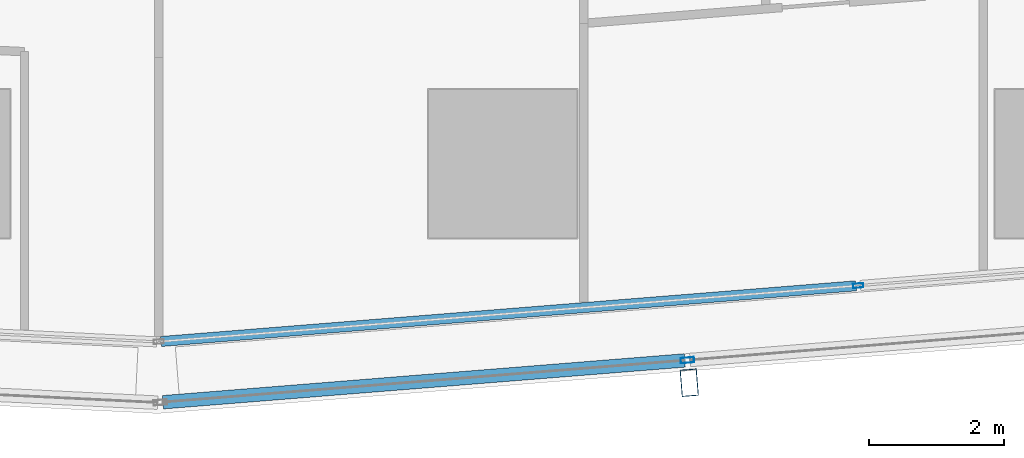
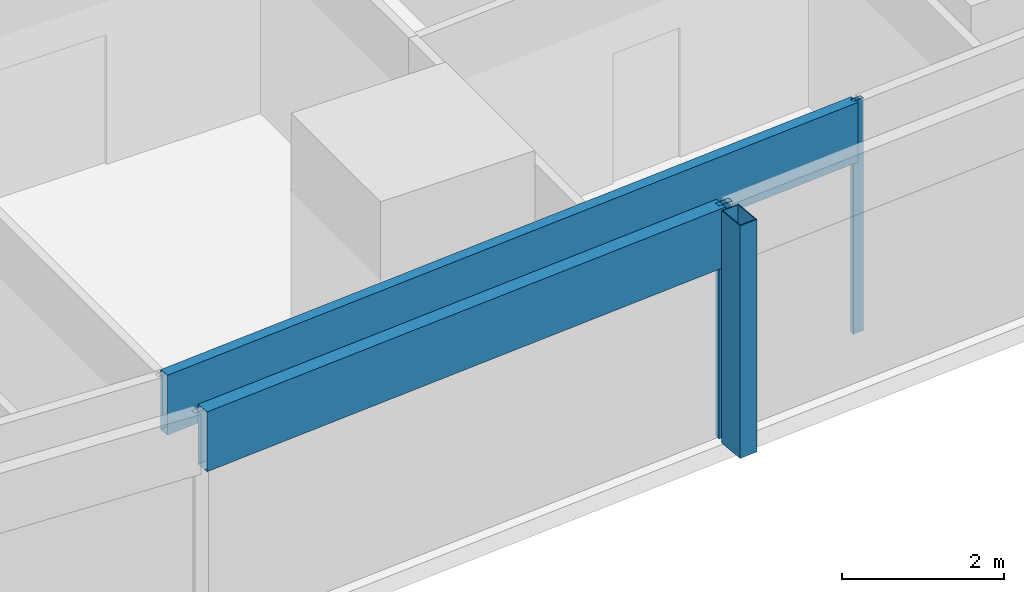
# One storey, part 10 of 45: 5 members, 2 elements without a shape of their own.
"""IFC4 building model written with IfcOpenShell, lengths in metres."""

from ifc_helpers import new_model, si_unit, direction, frame, origin, origin_2d, place, context, subcontext, project, spatial, hollow_rectangle, extrude, material, material_profile, profile_set, type_object, element, aggregate, save


model = new_model("IFC4")

# Units and contexts
model_context = context("Model", 3, precision=1e-05, world=origin(), true_north=direction((0.0, 1.0)))
body_context = subcontext(model_context, "Body", "Model", "MODEL_VIEW")
ifc_project = project(units=[si_unit("LENGTHUNIT", "METRE"), si_unit("AREAUNIT", "SQUARE_METRE"), si_unit("VOLUMEUNIT", "CUBIC_METRE"), si_unit("PLANEANGLEUNIT", "RADIAN"), si_unit("MASSUNIT", "GRAM", prefix="KILO")], contexts=[model_context])

# Site, building, storey
site_placement = place(None, origin())
site = spatial("IfcSite", under=ifc_project, at=site_placement, CompositionType="ELEMENT")
building_placement = place(site_placement, origin())
building = spatial("IfcBuilding", under=site, at=building_placement, Name="Rekha Terrace Tower", CompositionType="ELEMENT")
storey_placement = place(building_placement, frame((0.0, 0.0, 44.14990234375)))
storey = spatial("IfcBuildingStorey", under=building, at=storey_placement, Name="L10", CompositionType="ELEMENT", Elevation=44.14990234375)

# Curtain wall, member
ifc_material_1 = material(Name="Aluminium framing", Category="aluminium")
curtain_wall_type_1 = type_object("IfcCurtainWallType", Name="CW2 double skin outer glazing", PredefinedType="USERDEFINED", material=ifc_material_1)
curtain_wall_1_placement = place(storey_placement, origin())
curtain_wall_1 = element("IfcCurtainWall", 1, at=curtain_wall_1_placement, inside=storey, type_object=curtain_wall_type_1, Name="CW2 double skin outer glazing", ObjectType="DOUBLE SKIN OUTER GLAZING", PredefinedType="USERDEFINED")
ifc_material_2 = material(Name="Steel S355 with fluorocarbon finish", Category="steel")
ifc_material_profile_1 = material_profile(ifc_material_2, hollow_rectangle(XDim=0.25, YDim=0.39990234375, WallThickness=0.012451171875, at=origin_2d()), Name="RHS400x250x12.5")
ifc_profile_set_1 = profile_set([ifc_material_profile_1], Name="Steel S355 with fluorocarbon finish")
member_type_1 = type_object("IfcMemberType", Name="BL1 facade blade RHS 400 x 250", PredefinedType="USERDEFINED", material=ifc_profile_set_1)
member_1_placement = place(storey_placement, frame((53.16748046875, 5.15576171875, 0.0), z_axis=(0.0, 0.0, 1.0), x_axis=(0.996805139821, 0.079871855039, 0.0)))
member_1 = element("IfcMember", 2, at=member_1_placement, type_object=member_type_1, Name="Facade blade", ObjectType="FACADE BLADE", PredefinedType="USERDEFINED", context=body_context, shape_type="SweptSolid", body=[
    extrude(hollow_rectangle(XDim=0.25, YDim=0.39990234375, WallThickness=0.012451171875, at=origin_2d()), origin(), (0.0, 0.0, 1.0), 3.5),
])

# Curtain wall, members
curtain_wall_type_2 = type_object("IfcCurtainWallType", Name="CW1 double skin inner glazing", PredefinedType="USERDEFINED", material=ifc_material_1)
curtain_wall_2_placement = place(storey_placement, origin())
curtain_wall_2 = element("IfcCurtainWall", 3, at=curtain_wall_2_placement, inside=storey, type_object=curtain_wall_type_2, Name="CW1 double skin inner glazing", ObjectType="DOUBLE SKIN INNER GLAZING", PredefinedType="USERDEFINED")
ifc_material_3 = material(Name="Aluminium mullion section", Category="aluminium")
ifc_material_profile_2 = material_profile(ifc_material_3, hollow_rectangle(XDim=0.06494140625, YDim=0.14990234375, WallThickness=0.00390625, at=origin_2d()), Name="AL RHS 65x150")
ifc_profile_set_2 = profile_set([ifc_material_profile_2], Name="Aluminium mullion section")
member_type_2 = type_object("IfcMemberType", Name="CW1 mullion RHS 65 x 150", PredefinedType="MULLION", material=ifc_profile_set_2)
member_2_placement = place(storey_placement, frame((55.672119140625, 6.595458984375, 0.0), z_axis=(0.0, 0.0, 1.0), x_axis=(-0.079872204468, 0.996805111821, 0.0)))
member_2 = element("IfcMember", 4, at=member_2_placement, type_object=member_type_2, Name="CW1 mullion 2", PredefinedType="MULLION", context=body_context, shape_type="SweptSolid", body=[
    extrude(hollow_rectangle(XDim=0.06494140625, YDim=0.14990234375, WallThickness=0.00390625, at=origin_2d()), origin(), (0.0, 0.0, 1.0), 3.5),
])
ifc_material_4 = material(Name="Insulated aluminium spandrel box", Category="aluminium")
ifc_material_profile_3 = material_profile(ifc_material_4, hollow_rectangle(XDim=0.14990234375, YDim=0.89990234375, WallThickness=0.0029296875, at=origin_2d()), Name="AL SPANDREL BOX 150x900")
ifc_profile_set_3 = profile_set([ifc_material_profile_3], Name="Insulated aluminium spandrel box")
member_type_3 = type_object("IfcMemberType", Name="CW1 spandrel transom 150 x 900", PredefinedType="USERDEFINED", material=ifc_profile_set_3)
member_3_placement = place(storey_placement, frame((45.33642578125, 5.767333984375, 3.050048828125), z_axis=(0.996806184606, 0.079858814989, 0.0), x_axis=(-0.079858814989, 0.996806184606, 0.0)))
member_3 = element("IfcMember", 5, at=member_3_placement, type_object=member_type_3, Name="CW1 spandrel transom 1", ObjectType="TRANSOM", PredefinedType="USERDEFINED", context=body_context, shape_type="SweptSolid", body=[
    extrude(hollow_rectangle(XDim=0.14990234375, YDim=0.89990234375, WallThickness=0.0029296875, at=origin_2d()), origin(), (0.0, 0.0, 1.0), 10.336181640625),
])
aggregate(curtain_wall_2, [member_2, member_3])

# Member
ifc_material_profile_4 = material_profile(ifc_material_3, hollow_rectangle(XDim=0.080078125, YDim=0.199951171875, WallThickness=0.00390625, at=origin_2d()), Name="AL RHS 80x200")
ifc_profile_set_4 = profile_set([ifc_material_profile_4], Name="Aluminium mullion section")
member_type_4 = type_object("IfcMemberType", Name="CW2 mullion RHS 80 x 200", PredefinedType="MULLION", material=ifc_profile_set_4)
member_4_placement = place(storey_placement, frame((53.140869140625, 5.48974609375, 0.0), z_axis=(0.0, 0.0, 1.0), x_axis=(-0.079872204468, 0.996805111821, 0.0)))
member_4 = element("IfcMember", 6, at=member_4_placement, type_object=member_type_4, Name="CW2 mullion 2", PredefinedType="MULLION", context=body_context, shape_type="SweptSolid", body=[
    extrude(hollow_rectangle(XDim=0.080078125, YDim=0.199951171875, WallThickness=0.00390625, at=origin_2d()), origin(), (0.0, 0.0, 1.0), 3.5),
])

ifc_material_profile_5 = material_profile(ifc_material_4, hollow_rectangle(XDim=0.199951171875, YDim=0.89990234375, WallThickness=0.0029296875, at=origin_2d()), Name="AL SPANDREL BOX 200x900")
ifc_profile_set_5 = profile_set([ifc_material_profile_5], Name="Insulated aluminium spandrel box")
member_type_5 = type_object("IfcMemberType", Name="CW2 spandrel transom 200 x 900", PredefinedType="USERDEFINED", material=ifc_profile_set_5)
member_5_placement = place(storey_placement, frame((45.365234375, 4.86669921875, 3.050048828125), z_axis=(0.996804766607, 0.079876512622, 0.0), x_axis=(-0.079876512622, 0.996804766607, 0.0)))
member_5 = element("IfcMember", 7, at=member_5_placement, type_object=member_type_5, Name="CW2 spandrel transom 1", ObjectType="TRANSOM", PredefinedType="USERDEFINED", context=body_context, shape_type="SweptSolid", body=[
    extrude(hollow_rectangle(XDim=0.199951171875, YDim=0.89990234375, WallThickness=0.0029296875, at=origin_2d()), origin(), (0.0, 0.0, 1.0), 7.760498046875),
])

aggregate(curtain_wall_1, [member_4, member_5, member_1])

save(model, "model.ifc")
